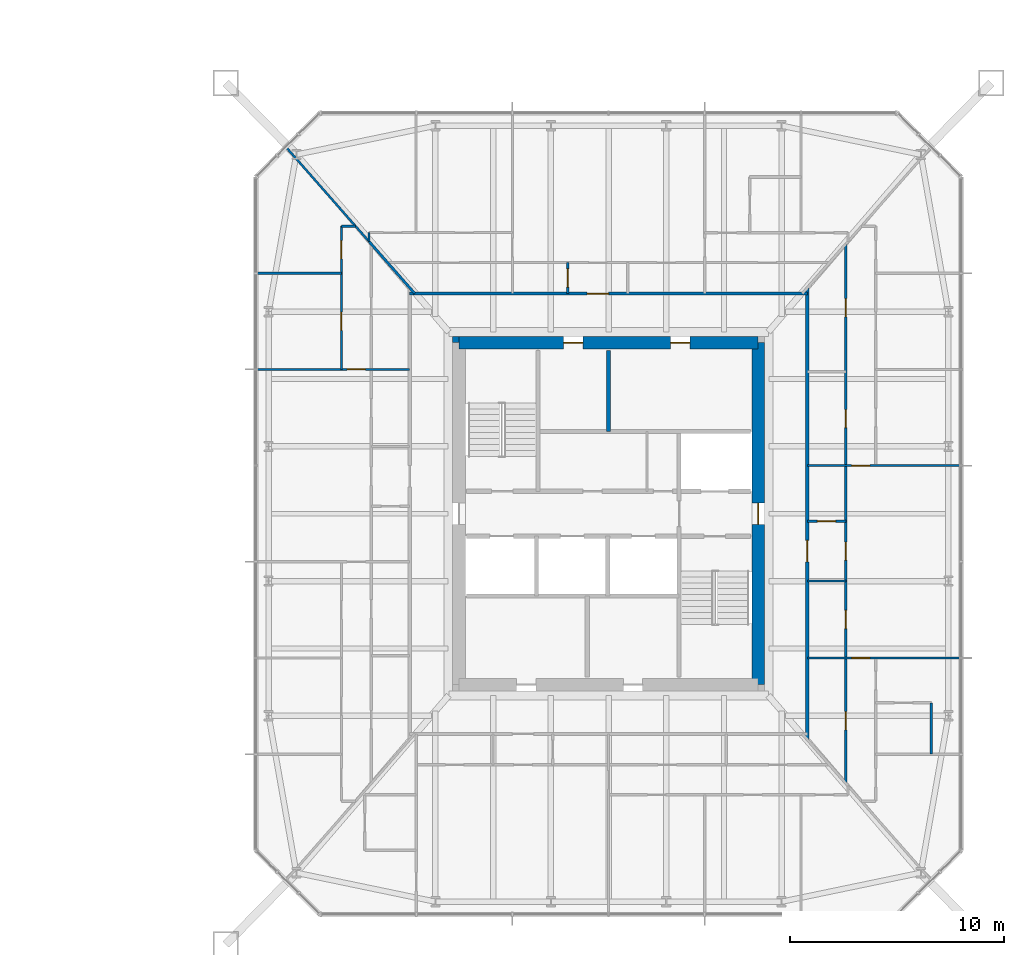
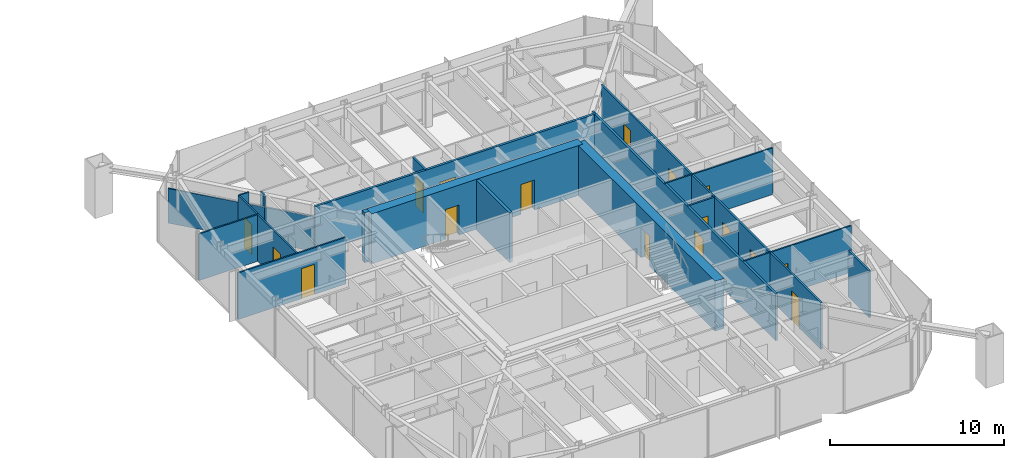
# One storey, part 20 of 26: 20 walls, 17 doors, 17 openings.
"""IFC4 building model written with IfcOpenShell, lengths in metres."""

import ifcopenshell
import ifcopenshell.guid

model = None  # the IFC model being written
_history = None  # IfcOwnerHistory: only IFC2X3 demands one
_inside = {}  # id of a spatial element -> (the spatial element, [elements in it])
_under = {}  # id of a project, library or spatial element -> (it, [spatial elements below it])
_declared = {}  # id of a project -> (the project, [libraries it declares])
_typed = {}  # id of a type object -> (the type object, [elements of that type])
_made_of = {}  # id of a material, layer set ... -> (it, [elements and type objects made of it])


def new_model(schema):
    """Start an empty IFC model of exactly this schema.

    Asked for "IFC4X3", IfcOpenShell would pick the latest addendum, in which some entities
    have other attributes; the version numbers below select the first issue.
    IFC2X3 requires an IfcOwnerHistory on every rooted entity: one is made here for all.
    """
    global model, _history
    if schema == "IFC4X3":
        model = ifcopenshell.file(schema_version=(4, 3, 0, 0))
    else:
        model = ifcopenshell.file(schema=schema)
    _inside.clear()
    _under.clear()
    _declared.clear()
    _typed.clear()
    _made_of.clear()
    _history = None
    if model.schema == "IFC2X3":
        org = make("IfcOrganization", Name="unknown")
        user = make(
            "IfcPersonAndOrganization",
            ThePerson=make("IfcPerson", FamilyName="unknown"),
            TheOrganization=org,
        )
        app = make(
            "IfcApplication",
            ApplicationDeveloper=org,
            Version="unknown",
            ApplicationFullName="unknown",
            ApplicationIdentifier="unknown",
        )
        _history = make(
            "IfcOwnerHistory",
            OwningUser=user,
            OwningApplication=app,
            ChangeAction="ADDED",
            CreationDate=0,
        )
    return model


def make(cls, **values):
    """One entity of the class cls with the attributes given. An attribute that is None is left unset."""
    return model.create_entity(
        cls, **{name: value for name, value in values.items() if value is not None}
    )


def rooted(cls, **values):
    """An entity with a GlobalId (a new one), such as an element, a storey or a relation."""
    return make(cls, GlobalId=ifcopenshell.guid.new(), OwnerHistory=_history, **values)


def si_unit(unit_type, name, prefix=None):
    """IfcSIUnit, for example si_unit("LENGTHUNIT", "METRE", prefix="MILLI")."""
    return make("IfcSIUnit", UnitType=unit_type, Prefix=prefix, Name=name)


def assignment(units):
    """IfcUnitAssignment: the units of a project."""
    return None if units is None else make("IfcUnitAssignment", Units=units)


def point(xyz):
    """IfcCartesianPoint."""
    return None if xyz is None else make("IfcCartesianPoint", Coordinates=xyz)


def direction(xyz):
    """IfcDirection."""
    return None if xyz is None else make("IfcDirection", DirectionRatios=xyz)


def frame(location, z_axis=None, x_axis=None):
    """IfcAxis2Placement3D, a coordinate frame: its origin and axes. An axis left out is left unset."""
    return make(
        "IfcAxis2Placement3D",
        Location=point(location),
        Axis=direction(z_axis),
        RefDirection=direction(x_axis),
    )


def frame_2d(location, x_axis=None):
    """IfcAxis2Placement2D, a coordinate frame in the plane: its origin and x axis."""
    return make(
        "IfcAxis2Placement2D", Location=point(location), RefDirection=direction(x_axis)
    )


def origin():
    """The frame at (0, 0, 0) with its axes left unset."""
    return frame((0.0, 0.0, 0.0))


def place(relative_to, where):
    """IfcLocalPlacement: puts the frame where relative to a parent placement (None: the world)."""
    return make(
        "IfcLocalPlacement", PlacementRelTo=relative_to, RelativePlacement=where
    )


def context(
    kind, dimensions, precision=None, world=None, true_north=None, identifier=None
):
    """IfcGeometricRepresentationContext, for example the 3D "Model" context."""
    return make(
        "IfcGeometricRepresentationContext",
        ContextIdentifier=identifier,
        ContextType=kind,
        CoordinateSpaceDimension=dimensions,
        Precision=precision,
        WorldCoordinateSystem=world,
        TrueNorth=true_north,
    )


def subcontext(parent, identifier, kind, view, scale=None):
    """IfcGeometricRepresentationSubContext, for example "Body" below "Model"."""
    return make(
        "IfcGeometricRepresentationSubContext",
        ContextIdentifier=identifier,
        ContextType=kind,
        ParentContext=parent,
        TargetScale=scale,
        TargetView=view,
    )


def project(units=None, contexts=None):
    """IfcProject with its units and contexts."""
    return rooted(
        "IfcProject",
        Name="project",
        RepresentationContexts=contexts,
        UnitsInContext=assignment(units),
    )


def spatial(cls, under=None, at=None, **own):
    """A site, building, storey or space (cls), placed at a placement, below another one or the project."""
    s = rooted(cls, ObjectPlacement=at, **own)
    if under is not None:
        _under.setdefault(under.id(), (under, []))[1].append(s)
    return s


def profile(cls, at=None, kind="AREA", **sizes):
    """A parametric profile (cls). Its sizes go by their IFC names, for example OverallWidth=200.0."""
    return make(cls, ProfileType=kind, Position=at, **sizes)


def rectangle(**sizes):
    """IfcRectangleProfileDef."""
    return profile("IfcRectangleProfileDef", **sizes)


def extrude(swept, where, along, depth):
    """IfcExtrudedAreaSolid: the profile swept, set in the frame where, extruded along a direction by depth."""
    return make(
        "IfcExtrudedAreaSolid",
        SweptArea=swept,
        Position=where,
        ExtrudedDirection=direction(along),
        Depth=depth,
    )


def shape(context_of_items, identifier, shape_type, items):
    """IfcShapeRepresentation: the items that make up one representation, for example the "Body"."""
    return make(
        "IfcShapeRepresentation",
        ContextOfItems=context_of_items,
        RepresentationIdentifier=identifier,
        RepresentationType=shape_type,
        Items=items,
    )


def material(Name=None, Category=None):
    """IfcMaterial."""
    return make("IfcMaterial", Name=Name, Category=Category)


def layer(
    of_material, thickness, ventilated=None, Name=None, Category=None, Priority=None
):
    """IfcMaterialLayer: one layer of a wall or slab, of a material (None: an air gap)."""
    return make(
        "IfcMaterialLayer",
        Material=of_material,
        LayerThickness=thickness,
        IsVentilated=ventilated,
        Name=Name,
        Category=Category,
        Priority=Priority,
    )


def layer_set(layers, Name=None):
    """IfcMaterialLayerSet."""
    return make("IfcMaterialLayerSet", MaterialLayers=layers, LayerSetName=Name)


def made_of(thing, what):
    """Note that an element or type object is made of a material, layer set ...; save() writes the relation."""
    if what is not None:
        _made_of.setdefault(what.id(), (what, []))[1].append(thing)
    return thing


def type_object(cls, material=None, **own):
    """A type object (cls), such as IfcWallType, which elements share."""
    return made_of(rooted(cls, **own), material)


def element(
    cls,
    number,
    at=None,
    inside=None,
    cuts=None,
    type_object=None,
    material=None,
    context=None,
    identifier="Body",
    shape_type=None,
    held_by="IfcProductDefinitionShape",
    body=None,
    shapes=None,
    **own,
):
    """One element of the class cls, such as IfcWall. Its Tag is "e" and its number.

    at: its placement. inside: the storey or other place that contains it. cuts: it is an
    opening in that element (IfcRelVoidsElement). A single representation is given by context,
    identifier, shape_type and body (its items); several are given by shapes. held_by: the class
    of the entity that holds the representations. save() writes the other relations.
    """
    e = rooted(cls, Tag="e%d" % number, ObjectPlacement=at, **own)
    if body is not None:
        shapes = [shape(context, identifier, shape_type, body)]
    if shapes is not None:
        e.Representation = make(held_by, Representations=shapes)
    if inside is not None:
        _inside.setdefault(inside.id(), (inside, []))[1].append(e)
    if cuts is not None:
        rooted(
            "IfcRelVoidsElement", RelatingBuildingElement=cuts, RelatedOpeningElement=e
        )
    if type_object is not None:
        _typed.setdefault(type_object.id(), (type_object, []))[1].append(e)
    return made_of(e, material)


def fill(opening, filler):
    """IfcRelFillsElement: the door or window that sits in an opening."""
    return rooted(
        "IfcRelFillsElement",
        RelatingOpeningElement=opening,
        RelatedBuildingElement=filler,
    )


def aggregate(whole, parts):
    """IfcRelAggregates: a whole, such as a stair, and the parts it consists of."""
    return rooted("IfcRelAggregates", RelatingObject=whole, RelatedObjects=parts)


def save(model, path):
    """Write the relations noted so far, then the file.

    IfcRelAggregates (storeys below a building ...), IfcRelContainedInSpatialStructure (elements
    in a storey), IfcRelDefinesByType, IfcRelAssociatesMaterial and IfcRelDeclares: one each for
    every whole, place, type object, material and project.
    """
    for whole, parts in _under.values():
        aggregate(whole, parts)
    for where, things in _inside.values():
        rooted(
            "IfcRelContainedInSpatialStructure",
            RelatedElements=things,
            RelatingStructure=where,
        )
    for kind, things in _typed.values():
        rooted("IfcRelDefinesByType", RelatedObjects=things, RelatingType=kind)
    for what, things in _made_of.values():
        rooted("IfcRelAssociatesMaterial", RelatedObjects=things, RelatingMaterial=what)
    for by, libraries in _declared.values():
        rooted("IfcRelDeclares", RelatingContext=by, RelatedDefinitions=libraries)
    model.write(path)


model = new_model("IFC4")

# Units and contexts
model_context = context("Model", 3, precision=1e-05, world=origin(), true_north=direction((0.0, 1.0)))
body_context = subcontext(model_context, "Body", "Model", "MODEL_VIEW")
ifc_project = project(units=[si_unit("LENGTHUNIT", "METRE"), si_unit("AREAUNIT", "SQUARE_METRE"), si_unit("VOLUMEUNIT", "CUBIC_METRE"), si_unit("PLANEANGLEUNIT", "RADIAN"), si_unit("MASSUNIT", "GRAM", prefix="KILO")], contexts=[model_context])

# Site, building, storey
site_placement = place(None, origin())
site = spatial("IfcSite", under=ifc_project, at=site_placement, CompositionType="ELEMENT")
building_placement = place(site_placement, origin())
building = spatial("IfcBuilding", under=site, at=building_placement, Name="Iwan Alto Co-Living Towers", CompositionType="ELEMENT")
storey_placement = place(building_placement, frame((0.0, 0.0, 29.0)))
storey = spatial("IfcBuildingStorey", under=building, at=storey_placement, Name="L07", CompositionType="ELEMENT", Elevation=29.0)

# Wall, opening, door
ifc_material_1 = material(Name="Gypsum board")
ifc_layer_1 = layer(ifc_material_1, 0.02490234375, Name="Board", Category="Finish")
ifc_material_2 = material(Name="Steel ASTM A1003 ST33H cold-formed studs", Category="steel")
ifc_layer_2 = layer(ifc_material_2, 0.10009765625, Name="Studs", Category="Framing")
ifc_layer_3 = layer(ifc_material_1, 0.02490234375, Name="Board", Category="Finish")
ifc_layer_set_1 = layer_set([ifc_layer_1, ifc_layer_2, ifc_layer_3], Name="CORRIDOR WALL 150")
wall_type_1 = type_object("IfcWallType", Name="CORRIDOR WALL 150", PredefinedType="PARTITIONING", material=ifc_layer_set_1)
wall_1_placement = place(storey_placement, frame((53.699951171875, 10.300048828125, 0.0), z_axis=(0.0, 0.0, 1.0), x_axis=(1.0, 0.0, 0.0)))
wall_1 = element("IfcWall", 1, at=wall_1_placement, inside=storey, type_object=wall_type_1, Name="Partition L07", PredefinedType="PARTITIONING", context=body_context, shape_type="SweptSolid", body=[
    extrude(rectangle(XDim=18.60009765625, YDim=0.14990234375, at=frame_2d((9.300048828125, 0.0))), origin(), (0.0, 0.0, 1.0), 3.27001953125),
])
opening_1_placement = place(wall_1_placement, frame((8.300048828125, 0.0, 0.0)))
opening_1 = element("IfcOpeningElement", 2, at=opening_1_placement, cuts=wall_1, Name="Opening D3", PredefinedType="OPENING", context=body_context, shape_type="SweptSolid", body=[
    extrude(rectangle(XDim=1.0, YDim=2.10009765625, at=frame_2d((0.5, 1.050048828125))), frame((0.0, 0.0849609375, 0.0), z_axis=(0.0, -1.0, 0.0), x_axis=(1.0, 0.0, 0.0)), (0.0, 0.0, 1.0), 0.169921875),
])
ifc_material_3 = material(Name="Steel frame with timber leaf", Category="steel")
door_type_1 = type_object("IfcDoorType", Name="FLAT ENTRANCE DOOR FD30S 1000X2100", OperationType="SINGLE_SWING_LEFT", PredefinedType="DOOR", material=ifc_material_3)
door_1_placement = place(opening_1_placement, origin())
door_1 = element("IfcDoor", 3, at=door_1_placement, inside=storey, type_object=door_type_1, Name="Apartment foyer door L07", OperationType="SINGLE_SWING_LEFT", OverallHeight=2.10009765625, OverallWidth=1.0, PredefinedType="DOOR", context=body_context, shape_type="SweptSolid", body=[
    extrude(rectangle(XDim=1.0, YDim=2.10009765625, at=frame_2d((0.5, 1.050048828125))), frame((0.0, 0.02490234375, 0.0), z_axis=(0.0, -1.0, 0.0), x_axis=(1.0, 0.0, 0.0)), (0.0, 0.0, 1.0), 0.050048828125),
])
fill(opening_1, door_1)

wall_2_placement = place(storey_placement, frame((72.300048828125, -10.568115234375, 0.0), z_axis=(0.0, 0.0, 1.0), x_axis=(0.0, 1.0, 0.0)))
wall_2 = element("IfcWall", 4, at=wall_2_placement, inside=storey, type_object=wall_type_1, Name="Partition L07", PredefinedType="PARTITIONING", context=body_context, shape_type="SweptSolid", body=[
    extrude(rectangle(XDim=21.13623046875, YDim=0.14990234375, at=frame_2d((10.568115234375, 0.0))), origin(), (0.0, 0.0, 1.0), 3.27001953125),
])
opening_2_placement = place(wall_2_placement, frame((8.318115234375, 0.0, 0.0)))
opening_2 = element("IfcOpeningElement", 5, at=opening_2_placement, cuts=wall_2, Name="Opening D3", PredefinedType="OPENING", context=body_context, shape_type="SweptSolid", body=[
    extrude(rectangle(XDim=1.0, YDim=2.10009765625, at=frame_2d((0.5, 1.050048828125))), frame((0.0, 0.0849609375, 0.0), z_axis=(0.0, -1.0, 0.0), x_axis=(1.0, 0.0, 0.0)), (0.0, 0.0, 1.0), 0.169921875),
])
door_2_placement = place(opening_2_placement, frame((1.0, 0.0, 0.0), z_axis=(0.0, 0.0, 1.0), x_axis=(-1.0, 0.0, 0.0)))
door_2 = element("IfcDoor", 6, at=door_2_placement, inside=storey, type_object=door_type_1, Name="Apartment foyer door L07", OperationType="SINGLE_SWING_RIGHT", OverallHeight=2.10009765625, OverallWidth=1.0, PredefinedType="DOOR", context=body_context, shape_type="SweptSolid", body=[
    extrude(rectangle(XDim=1.0, YDim=2.10009765625, at=frame_2d((0.5, 1.050048828125))), frame((0.0, 0.02490234375, 0.0), z_axis=(0.0, -1.0, 0.0), x_axis=(1.0, 0.0, 0.0)), (0.0, 0.0, 1.0), 0.050048828125),
])
fill(opening_2, door_2)

ifc_layer_4 = layer(ifc_material_1, 0.012451171875, Name="Board", Category="Finish")
ifc_layer_5 = layer(ifc_material_2, 0.074951171875, Name="Studs", Category="Framing")
ifc_layer_6 = layer(ifc_material_1, 0.012451171875, Name="Board", Category="Finish")
ifc_layer_set_2 = layer_set([ifc_layer_4, ifc_layer_5, ifc_layer_6], Name="PARTITION 100")
wall_type_2 = type_object("IfcWallType", Name="PARTITION 100", PredefinedType="PARTITIONING", material=ifc_layer_set_2)
wall_3_placement = place(storey_placement, frame((72.300048828125, -6.75, 0.0), z_axis=(0.0, 0.0, 1.0), x_axis=(1.0, 0.0, 0.0)))
wall_3 = element("IfcWall", 7, at=wall_3_placement, inside=storey, type_object=wall_type_2, Name="Partition L07", PredefinedType="PARTITIONING", context=body_context, shape_type="SweptSolid", body=[
    extrude(rectangle(XDim=7.139892578125, YDim=0.10009765625, at=frame_2d((3.56982421875, 0.0))), origin(), (0.0, 0.0, 1.0), 3.27001953125),
])
opening_3_placement = place(wall_3_placement, frame((2.074951171875, 0.0, 0.0)))
opening_3 = element("IfcOpeningElement", 8, at=opening_3_placement, cuts=wall_3, Name="Opening D2", PredefinedType="OPENING", context=body_context, shape_type="SweptSolid", body=[
    extrude(rectangle(XDim=0.85009765625, YDim=2.10009765625, at=frame_2d((0.425048828125, 1.050048828125))), frame((0.0, 0.06005859375, 0.0), z_axis=(0.0, -1.0, 0.0), x_axis=(1.0, 0.0, 0.0)), (0.0, 0.0, 1.0), 0.1201171875),
])
ifc_material_4 = material(Name="Timber leaf in steel frame", Category="steel")
door_type_2 = type_object("IfcDoorType", Name="ROOM DOOR 850X2100", OperationType="SINGLE_SWING_LEFT", PredefinedType="DOOR", material=ifc_material_4)
door_3_placement = place(opening_3_placement, origin())
door_3 = element("IfcDoor", 9, at=door_3_placement, inside=storey, type_object=door_type_2, Name="Apartment hall door L07", OperationType="SINGLE_SWING_LEFT", OverallHeight=2.10009765625, OverallWidth=0.85009765625, PredefinedType="DOOR", context=body_context, shape_type="SweptSolid", body=[
    extrude(rectangle(XDim=0.85009765625, YDim=2.10009765625, at=frame_2d((0.425048828125, 1.050048828125))), frame((0.0, 0.02490234375, 0.0), z_axis=(0.0, -1.0, 0.0), x_axis=(1.0, 0.0, 0.0)), (0.0, 0.0, 1.0), 0.050048828125),
])
fill(opening_3, door_3)

# Wall
wall_4_placement = place(storey_placement, frame((72.300048828125, -3.14990234375, 0.0), z_axis=(0.0, 0.0, 1.0), x_axis=(1.0, 0.0, 0.0)))
element("IfcWall", 10, at=wall_4_placement, inside=storey, type_object=wall_type_2, Name="Partition L07", PredefinedType="PARTITIONING", context=body_context, shape_type="SweptSolid", body=[
    extrude(rectangle(XDim=1.800048828125, YDim=0.10009765625, at=frame_2d((0.89990234375, 0.0))), origin(), (0.0, 0.0, 1.0), 2.586669921875),
])

# Wall, opening, door
wall_5_placement = place(storey_placement, frame((72.300048828125, 2.25, 0.0), z_axis=(0.0, 0.0, 1.0), x_axis=(1.0, 0.0, 0.0)))
wall_5 = element("IfcWall", 11, at=wall_5_placement, inside=storey, type_object=wall_type_2, Name="Partition L07", PredefinedType="PARTITIONING", context=body_context, shape_type="SweptSolid", body=[
    extrude(rectangle(XDim=7.139892578125, YDim=0.10009765625, at=frame_2d((3.56982421875, 0.0))), origin(), (0.0, 0.0, 1.0), 3.27001953125),
])
opening_4_placement = place(wall_5_placement, frame((2.074951171875, 0.0, 0.0)))
opening_4 = element("IfcOpeningElement", 12, at=opening_4_placement, cuts=wall_5, Name="Opening D2", PredefinedType="OPENING", context=body_context, shape_type="SweptSolid", body=[
    extrude(rectangle(XDim=0.85009765625, YDim=2.10009765625, at=frame_2d((0.425048828125, 1.050048828125))), frame((0.0, 0.06005859375, 0.0), z_axis=(0.0, -1.0, 0.0), x_axis=(1.0, 0.0, 0.0)), (0.0, 0.0, 1.0), 0.1201171875),
])
door_4_placement = place(opening_4_placement, frame((0.85009765625, 0.0, 0.0), z_axis=(0.0, 0.0, 1.0), x_axis=(-1.0, 0.0, 0.0)))
door_4 = element("IfcDoor", 13, at=door_4_placement, inside=storey, type_object=door_type_2, Name="Apartment hall door L07", OperationType="SINGLE_SWING_RIGHT", OverallHeight=2.10009765625, OverallWidth=0.85009765625, PredefinedType="DOOR", context=body_context, shape_type="SweptSolid", body=[
    extrude(rectangle(XDim=0.85009765625, YDim=2.10009765625, at=frame_2d((0.425048828125, 1.050048828125))), frame((0.0, 0.02490234375, 0.0), z_axis=(0.0, -1.0, 0.0), x_axis=(1.0, 0.0, 0.0)), (0.0, 0.0, 1.0), 0.050048828125),
])
fill(opening_4, door_4)

wall_6_placement = place(storey_placement, frame((46.56005859375, 6.75, 0.0), z_axis=(0.0, 0.0, 1.0), x_axis=(1.0, 0.0, 0.0)))
wall_6 = element("IfcWall", 14, at=wall_6_placement, inside=storey, type_object=wall_type_2, Name="Partition L07", PredefinedType="PARTITIONING", context=body_context, shape_type="SweptSolid", body=[
    extrude(rectangle(XDim=7.139892578125, YDim=0.10009765625, at=frame_2d((3.56982421875, 0.0))), origin(), (0.0, 0.0, 1.0), 3.27001953125),
])
opening_5_placement = place(wall_6_placement, frame((4.215087890625, 0.0, 0.0)))
opening_5 = element("IfcOpeningElement", 15, at=opening_5_placement, cuts=wall_6, Name="Opening D2", PredefinedType="OPENING", context=body_context, shape_type="SweptSolid", body=[
    extrude(rectangle(XDim=0.85009765625, YDim=2.10009765625, at=frame_2d((0.425048828125, 1.050048828125))), frame((0.0, 0.06005859375, 0.0), z_axis=(0.0, -1.0, 0.0), x_axis=(1.0, 0.0, 0.0)), (0.0, 0.0, 1.0), 0.1201171875),
])
door_5_placement = place(opening_5_placement, frame((0.85009765625, 0.0, 0.0), z_axis=(0.0, 0.0, 1.0), x_axis=(-1.0, 0.0, 0.0)))
door_5 = element("IfcDoor", 16, at=door_5_placement, inside=storey, type_object=door_type_2, Name="Apartment hall door L07", OperationType="SINGLE_SWING_LEFT", OverallHeight=2.10009765625, OverallWidth=0.85009765625, PredefinedType="DOOR", context=body_context, shape_type="SweptSolid", body=[
    extrude(rectangle(XDim=0.85009765625, YDim=2.10009765625, at=frame_2d((0.425048828125, 1.050048828125))), frame((0.0, 0.02490234375, 0.0), z_axis=(0.0, -1.0, 0.0), x_axis=(1.0, 0.0, 0.0)), (0.0, 0.0, 1.0), 0.050048828125),
])
fill(opening_5, door_5)

# Walls
wall_7_placement = place(storey_placement, frame((46.56005859375, 11.25, 0.0), z_axis=(0.0, 0.0, 1.0), x_axis=(1.0, 0.0, 0.0)))
element("IfcWall", 17, at=wall_7_placement, inside=storey, type_object=wall_type_2, Name="Partition L07", PredefinedType="PARTITIONING", context=body_context, shape_type="SweptSolid", body=[
    extrude(rectangle(XDim=3.93994140625, YDim=0.10009765625, at=frame_2d((1.969970703125, 0.0))), origin(), (0.0, 0.0, 1.0), 3.27001953125),
])
wall_8_placement = place(storey_placement, frame((50.5, 13.449951171875, 0.0), z_axis=(0.0, 0.0, 1.0), x_axis=(1.0, 0.0, 0.0)))
element("IfcWall", 18, at=wall_8_placement, inside=storey, type_object=wall_type_2, Name="Partition L07", PredefinedType="PARTITIONING", context=body_context, shape_type="SweptSolid", body=[
    extrude(rectangle(XDim=0.6640625, YDim=0.10009765625, at=frame_2d((0.33203125, 0.0))), origin(), (0.0, 0.0, 1.0), 3.27001953125),
])
wall_9_placement = place(storey_placement, frame((51.800048828125, 12.72705078125, 0.0), z_axis=(0.0, 0.0, 1.0), x_axis=(0.0, 1.0, 0.0)))
element("IfcWall", 19, at=wall_9_placement, inside=storey, type_object=wall_type_2, Name="Partition L07", PredefinedType="PARTITIONING", context=body_context, shape_type="SweptSolid", body=[
    extrude(rectangle(XDim=0.4228515625, YDim=0.10009765625, at=frame_2d((0.21142578125, 0.0))), origin(), (0.0, 0.0, 1.0), 3.27001953125),
])

# Wall, openings, doors
wall_10_placement = place(storey_placement, frame((50.5, 6.75, 0.0), z_axis=(0.0, 0.0, 1.0), x_axis=(0.0, 1.0, 0.0)))
wall_10 = element("IfcWall", 20, at=wall_10_placement, inside=storey, type_object=wall_type_2, Name="Partition L07", PredefinedType="PARTITIONING", context=body_context, shape_type="SweptSolid", body=[
    extrude(rectangle(XDim=6.699951171875, YDim=0.10009765625, at=frame_2d((3.35009765625, 0.0))), origin(), (0.0, 0.0, 1.0), 3.27001953125),
])
opening_6_placement = place(wall_10_placement, frame((1.824951171875, 0.0, 0.0)))
opening_6 = element("IfcOpeningElement", 21, at=opening_6_placement, cuts=wall_10, Name="Opening D2", PredefinedType="OPENING", context=body_context, shape_type="SweptSolid", body=[
    extrude(rectangle(XDim=0.85009765625, YDim=2.10009765625, at=frame_2d((0.425048828125, 1.050048828125))), frame((0.0, 0.06005859375, 0.0), z_axis=(0.0, -1.0, 0.0), x_axis=(1.0, 0.0, 0.0)), (0.0, 0.0, 1.0), 0.1201171875),
])
opening_7_placement = place(wall_10_placement, frame((5.175048828125, 0.0, 0.0)))
opening_7 = element("IfcOpeningElement", 22, at=opening_7_placement, cuts=wall_10, Name="Opening D2", PredefinedType="OPENING", context=body_context, shape_type="SweptSolid", body=[
    extrude(rectangle(XDim=0.85009765625, YDim=2.10009765625, at=frame_2d((0.425048828125, 1.050048828125))), frame((0.0, 0.06005859375, 0.0), z_axis=(0.0, -1.0, 0.0), x_axis=(1.0, 0.0, 0.0)), (0.0, 0.0, 1.0), 0.1201171875),
])
door_6_placement = place(opening_6_placement, origin())
door_6 = element("IfcDoor", 23, at=door_6_placement, inside=storey, type_object=door_type_2, Name="Study door L07", OperationType="SINGLE_SWING_LEFT", OverallHeight=2.10009765625, OverallWidth=0.85009765625, PredefinedType="DOOR", context=body_context, shape_type="SweptSolid", body=[
    extrude(rectangle(XDim=0.85009765625, YDim=2.10009765625, at=frame_2d((0.425048828125, 1.050048828125))), frame((0.0, 0.02490234375, 0.0), z_axis=(0.0, -1.0, 0.0), x_axis=(1.0, 0.0, 0.0)), (0.0, 0.0, 1.0), 0.050048828125),
])
fill(opening_6, door_6)
door_7_placement = place(opening_7_placement, origin())
door_7 = element("IfcDoor", 24, at=door_7_placement, inside=storey, type_object=door_type_2, Name="Bedroom door L07", OperationType="SINGLE_SWING_LEFT", OverallHeight=2.10009765625, OverallWidth=0.85009765625, PredefinedType="DOOR", context=body_context, shape_type="SweptSolid", body=[
    extrude(rectangle(XDim=0.85009765625, YDim=2.10009765625, at=frame_2d((0.425048828125, 1.050048828125))), frame((0.0, 0.02490234375, 0.0), z_axis=(0.0, -1.0, 0.0), x_axis=(1.0, 0.0, 0.0)), (0.0, 0.0, 1.0), 0.050048828125),
])
fill(opening_7, door_7)

# Walls
wall_11_placement = place(storey_placement, frame((51.801025390625, 12.72802734375, 0.0), z_axis=(0.0, 0.0, 1.0), x_axis=(-0.660356300202, 0.750952433103, 0.0)))
element("IfcWall", 25, at=wall_11_placement, inside=storey, type_object=wall_type_2, Name="Partition L07", PredefinedType="PARTITIONING", context=body_context, shape_type="SweptSolid", body=[
    extrude(rectangle(XDim=5.8369140625, YDim=0.10009765625, at=frame_2d((2.91845703125, 0.0))), origin(), (0.0, 0.0, 1.0), 2.42919921875),
])
ifc_material_5 = material(Name="Concrete f'c 70 MPa", Category="concrete")
ifc_layer_7 = layer(ifc_material_5, 0.199951171875)
ifc_layer_set_3 = layer_set([ifc_layer_7], Name="SHAFT WALL 200")
wall_type_3 = type_object("IfcWallType", Name="SHAFT WALL 200", PredefinedType="SOLIDWALL", material=ifc_layer_set_3)
wall_12_placement = place(storey_placement, frame((63.0, 3.85009765625, 0.0), z_axis=(0.0, 0.0, 1.0), x_axis=(0.0, 1.0, 0.0)))
element("IfcWall", 26, at=wall_12_placement, inside=storey, type_object=wall_type_3, Name="Shaft wall L07", PredefinedType="SOLIDWALL", context=body_context, shape_type="SweptSolid", body=[
    extrude(rectangle(XDim=3.789794921875, YDim=0.199951171875, at=frame_2d((1.89501953125, 0.0))), origin(), (0.0, 0.0, 1.0), 3.5),
])
ifc_material_6 = material(Name="Concrete f'c 70 MPa", Category="concrete")
ifc_layer_8 = layer(ifc_material_6, 0.300048828125)
ifc_layer_set_4 = layer_set([ifc_layer_8], Name="T2 CORE CORNER FILL 300")
wall_type_4 = type_object("IfcWallType", Name="T2 CORE CORNER FILL 300", PredefinedType="SOLIDWALL", material=ifc_layer_set_4)
wall_13_placement = place(storey_placement, frame((55.699951171875, 8.14990234375, 0.0), z_axis=(0.0, 0.0, 1.0), x_axis=(1.0, 0.0, 0.0)))
element("IfcWall", 27, at=wall_13_placement, inside=storey, type_object=wall_type_4, Name="T2 core corner NW L07", PredefinedType="SOLIDWALL", context=body_context, shape_type="SweptSolid", body=[
    extrude(rectangle(XDim=0.300048828125, YDim=0.300048828125, at=frame_2d((0.14990234375, 0.0))), origin(), (0.0, 0.0, 1.0), 3.5),
])

# Wall, openings, doors
ifc_material_7 = material(Name="Concrete f'c 70 MPa", Category="concrete")
ifc_layer_9 = layer(ifc_material_7, 0.60009765625)
ifc_layer_set_5 = layer_set([ifc_layer_9], Name="T2 CORE WALL 600")
wall_type_5 = type_object("IfcWallType", Name="T2 CORE WALL 600", PredefinedType="SHEAR", material=ifc_layer_set_5)
wall_14_placement = place(storey_placement, frame((70.0, 8.0, 0.0), z_axis=(0.0, 0.0, 1.0), x_axis=(-1.0, 0.0, 0.0)))
wall_14 = element("IfcWall", 28, at=wall_14_placement, inside=storey, type_object=wall_type_5, Name="T2 core wall N L07", PredefinedType="SHEAR", context=body_context, shape_type="SweptSolid", body=[
    extrude(rectangle(XDim=14.0, YDim=0.60009765625, at=frame_2d((7.0, 0.0))), origin(), (0.0, 0.0, 1.0), 3.5),
])
opening_8_placement = place(wall_14_placement, frame((8.199951171875, 0.0, 0.0)))
opening_8 = element("IfcOpeningElement", 29, at=opening_8_placement, cuts=wall_14, Name="Opening D8", PredefinedType="OPENING", context=body_context, shape_type="SweptSolid", body=[
    extrude(rectangle(XDim=0.89990234375, YDim=2.10009765625, at=frame_2d((0.449951171875, 1.050048828125))), frame((0.0, 0.31005859375, 0.0), z_axis=(0.0, -1.0, 0.0), x_axis=(1.0, 0.0, 0.0)), (0.0, 0.0, 1.0), 0.6201171875),
])
opening_9_placement = place(wall_14_placement, frame((3.199951171875, 0.0, 0.0)))
opening_9 = element("IfcOpeningElement", 30, at=opening_9_placement, cuts=wall_14, Name="Opening D8", PredefinedType="OPENING", context=body_context, shape_type="SweptSolid", body=[
    extrude(rectangle(XDim=0.89990234375, YDim=2.10009765625, at=frame_2d((0.449951171875, 1.050048828125))), frame((0.0, 0.31005859375, 0.0), z_axis=(0.0, -1.0, 0.0), x_axis=(1.0, 0.0, 0.0)), (0.0, 0.0, 1.0), 0.6201171875),
])
ifc_material_8 = material(Name="Steel frame with timber leaf", Category="steel")
door_type_3 = type_object("IfcDoorType", Name="RISER DOOR FD120 900X2100", OperationType="SINGLE_SWING_LEFT", PredefinedType="DOOR", material=ifc_material_8)
door_8_placement = place(opening_8_placement, origin())
door_8 = element("IfcDoor", 31, at=door_8_placement, inside=storey, type_object=door_type_3, Name="Electrical riser core door L07", OperationType="SINGLE_SWING_RIGHT", OverallHeight=2.10009765625, OverallWidth=0.89990234375, PredefinedType="DOOR", context=body_context, shape_type="SweptSolid", body=[
    extrude(rectangle(XDim=0.89990234375, YDim=2.10009765625, at=frame_2d((0.449951171875, 1.050048828125))), frame((0.0, 0.02490234375, 0.0), z_axis=(0.0, -1.0, 0.0), x_axis=(1.0, 0.0, 0.0)), (0.0, 0.0, 1.0), 0.050048828125),
])
fill(opening_8, door_8)
door_9_placement = place(opening_9_placement, origin())
door_9 = element("IfcDoor", 32, at=door_9_placement, inside=storey, type_object=door_type_3, Name="Water and drainage riser core door L07", OperationType="SINGLE_SWING_RIGHT", OverallHeight=2.10009765625, OverallWidth=0.89990234375, PredefinedType="DOOR", context=body_context, shape_type="SweptSolid", body=[
    extrude(rectangle(XDim=0.89990234375, YDim=2.10009765625, at=frame_2d((0.449951171875, 1.050048828125))), frame((0.0, 0.02490234375, 0.0), z_axis=(0.0, -1.0, 0.0), x_axis=(1.0, 0.0, 0.0)), (0.0, 0.0, 1.0), 0.050048828125),
])
fill(opening_9, door_9)

# Wall, opening, door
wall_15_placement = place(storey_placement, frame((70.0, -8.0, 0.0), z_axis=(0.0, 0.0, 1.0), x_axis=(0.0, 1.0, 0.0)))
wall_15 = element("IfcWall", 33, at=wall_15_placement, inside=storey, type_object=wall_type_5, Name="T2 core wall E L07", PredefinedType="SHEAR", context=body_context, shape_type="SweptSolid", body=[
    extrude(rectangle(XDim=16.0, YDim=0.60009765625, at=frame_2d((8.0, 0.0))), origin(), (0.0, 0.0, 1.0), 3.5),
])
opening_10_placement = place(wall_15_placement, frame((7.5, 0.0, 0.0)))
opening_10 = element("IfcOpeningElement", 34, at=opening_10_placement, cuts=wall_15, Name="Opening D7", PredefinedType="OPENING", context=body_context, shape_type="SweptSolid", body=[
    extrude(rectangle(XDim=1.0, YDim=2.10009765625, at=frame_2d((0.5, 1.050048828125))), frame((0.0, 0.31005859375, 0.0), z_axis=(0.0, -1.0, 0.0), x_axis=(1.0, 0.0, 0.0)), (0.0, 0.0, 1.0), 0.6201171875),
])
ifc_material_9 = material(Name="Steel frame with timber leaf", Category="steel")
door_type_4 = type_object("IfcDoorType", Name="CORE DOOR FD120S 1000X2100", OperationType="SINGLE_SWING_LEFT", PredefinedType="DOOR", material=ifc_material_9)
door_10_placement = place(opening_10_placement, origin())
door_10 = element("IfcDoor", 35, at=door_10_placement, inside=storey, type_object=door_type_4, Name="Firefighting lobby core door L07", OperationType="SINGLE_SWING_LEFT", OverallHeight=2.10009765625, OverallWidth=1.0, PredefinedType="DOOR", context=body_context, shape_type="SweptSolid", body=[
    extrude(rectangle(XDim=1.0, YDim=2.10009765625, at=frame_2d((0.5, 1.050048828125))), frame((0.0, 0.02490234375, 0.0), z_axis=(0.0, -1.0, 0.0), x_axis=(1.0, 0.0, 0.0)), (0.0, 0.0, 1.0), 0.050048828125),
])
fill(opening_10, door_10)

ifc_material_10 = material(Name="Cement board")
ifc_layer_10 = layer(ifc_material_10, 0.012451171875, Name="Board", Category="Finish")
ifc_layer_11 = layer(ifc_material_2, 0.094970703125, Name="Studs", Category="Framing")
ifc_layer_12 = layer(ifc_material_10, 0.012451171875, Name="Board", Category="Finish")
ifc_layer_set_6 = layer_set([ifc_layer_10, ifc_layer_11, ifc_layer_12], Name="WET AREA PARTITION 120")
wall_type_6 = type_object("IfcWallType", Name="WET AREA PARTITION 120", PredefinedType="PARTITIONING", material=ifc_layer_set_6)
wall_16_placement = place(storey_placement, frame((72.300048828125, -0.35009765625, 0.0), z_axis=(0.0, 0.0, 1.0), x_axis=(1.0, 0.0, 0.0)))
wall_16 = element("IfcWall", 36, at=wall_16_placement, inside=storey, type_object=wall_type_6, Name="Partition L07", PredefinedType="PARTITIONING", context=body_context, shape_type="SweptSolid", body=[
    extrude(rectangle(XDim=1.800048828125, YDim=0.1201171875, at=frame_2d((0.89990234375, 0.0))), origin(), (0.0, 0.0, 1.0), 3.27001953125),
])
opening_11_placement = place(wall_16_placement, frame((0.47509765625, 0.0, 0.0)))
opening_11 = element("IfcOpeningElement", 37, at=opening_11_placement, cuts=wall_16, Name="Opening D2", PredefinedType="OPENING", context=body_context, shape_type="SweptSolid", body=[
    extrude(rectangle(XDim=0.85009765625, YDim=2.10009765625, at=frame_2d((0.425048828125, 1.050048828125))), frame((0.0, 0.070068359375, 0.0), z_axis=(0.0, -1.0, 0.0), x_axis=(1.0, 0.0, 0.0)), (0.0, 0.0, 1.0), 0.14013671875),
])
door_11_placement = place(opening_11_placement, origin())
door_11 = element("IfcDoor", 38, at=door_11_placement, inside=storey, type_object=door_type_2, Name="Bathroom door L07", OperationType="SINGLE_SWING_LEFT", OverallHeight=2.10009765625, OverallWidth=0.85009765625, PredefinedType="DOOR", context=body_context, shape_type="SweptSolid", body=[
    extrude(rectangle(XDim=0.85009765625, YDim=2.10009765625, at=frame_2d((0.425048828125, 1.050048828125))), frame((0.0, 0.02490234375, 0.0), z_axis=(0.0, -1.0, 0.0), x_axis=(1.0, 0.0, 0.0)), (0.0, 0.0, 1.0), 0.050048828125),
])
fill(opening_11, door_11)

# Wall
wall_17_placement = place(storey_placement, frame((78.10009765625, -11.25, 0.0), z_axis=(0.0, 0.0, 1.0), x_axis=(0.0, 1.0, 0.0)))
element("IfcWall", 39, at=wall_17_placement, inside=storey, type_object=wall_type_6, Name="Partition L07", PredefinedType="PARTITIONING", context=body_context, shape_type="SweptSolid", body=[
    extrude(rectangle(XDim=2.39990234375, YDim=0.1201171875, at=frame_2d((1.199951171875, 0.0))), origin(), (0.0, 0.0, 1.0), 3.27001953125),
])

# Wall, openings, doors
wall_18_placement = place(storey_placement, frame((74.10009765625, -12.614013671875, 0.0), z_axis=(0.0, 0.0, 1.0), x_axis=(0.0, 1.0, 0.0)))
wall_18 = element("IfcWall", 40, at=wall_18_placement, inside=storey, type_object=wall_type_6, Name="Partition L07", PredefinedType="PARTITIONING", context=body_context, shape_type="SweptSolid", body=[
    extrude(rectangle(XDim=25.22802734375, YDim=0.1201171875, at=frame_2d((12.614013671875, 0.0))), origin(), (0.0, 0.0, 1.0), 3.27001953125),
])
opening_12_placement = place(wall_18_placement, frame((7.239013671875, 0.0, 0.0)))
opening_12 = element("IfcOpeningElement", 41, at=opening_12_placement, cuts=wall_18, Name="Opening D2", PredefinedType="OPENING", context=body_context, shape_type="SweptSolid", body=[
    extrude(rectangle(XDim=0.85009765625, YDim=2.10009765625, at=frame_2d((0.425048828125, 1.050048828125))), frame((0.0, 0.070068359375, 0.0), z_axis=(0.0, -1.0, 0.0), x_axis=(1.0, 0.0, 0.0)), (0.0, 0.0, 1.0), 0.14013671875),
])
opening_13_placement = place(wall_18_placement, frame((10.43896484375, 0.0, 0.0)))
opening_13 = element("IfcOpeningElement", 42, at=opening_13_placement, cuts=wall_18, Name="Opening D2", PredefinedType="OPENING", context=body_context, shape_type="SweptSolid", body=[
    extrude(rectangle(XDim=0.85009765625, YDim=2.10009765625, at=frame_2d((0.425048828125, 1.050048828125))), frame((0.0, 0.070068359375, 0.0), z_axis=(0.0, -1.0, 0.0), x_axis=(1.0, 0.0, 0.0)), (0.0, 0.0, 1.0), 0.14013671875),
])
opening_14_placement = place(wall_18_placement, frame((2.507080078125, 0.0, 0.0)))
opening_14 = element("IfcOpeningElement", 43, at=opening_14_placement, cuts=wall_18, Name="Opening D2", PredefinedType="OPENING", context=body_context, shape_type="SweptSolid", body=[
    extrude(rectangle(XDim=0.85009765625, YDim=2.10009765625, at=frame_2d((0.425048828125, 1.050048828125))), frame((0.0, 0.070068359375, 0.0), z_axis=(0.0, -1.0, 0.0), x_axis=(1.0, 0.0, 0.0)), (0.0, 0.0, 1.0), 0.14013671875),
])
opening_15_placement = place(wall_18_placement, frame((16.638916015625, 0.0, 0.0)))
opening_15 = element("IfcOpeningElement", 44, at=opening_15_placement, cuts=wall_18, Name="Opening D2", PredefinedType="OPENING", context=body_context, shape_type="SweptSolid", body=[
    extrude(rectangle(XDim=0.85009765625, YDim=2.10009765625, at=frame_2d((0.425048828125, 1.050048828125))), frame((0.0, 0.070068359375, 0.0), z_axis=(0.0, -1.0, 0.0), x_axis=(1.0, 0.0, 0.0)), (0.0, 0.0, 1.0), 0.14013671875),
])
opening_16_placement = place(wall_18_placement, frame((21.821044921875, 0.0, 0.0)))
opening_16 = element("IfcOpeningElement", 45, at=opening_16_placement, cuts=wall_18, Name="Opening D2", PredefinedType="OPENING", context=body_context, shape_type="SweptSolid", body=[
    extrude(rectangle(XDim=0.85009765625, YDim=2.10009765625, at=frame_2d((0.425048828125, 1.050048828125))), frame((0.0, 0.070068359375, 0.0), z_axis=(0.0, -1.0, 0.0), x_axis=(1.0, 0.0, 0.0)), (0.0, 0.0, 1.0), 0.14013671875),
])
door_12_placement = place(opening_12_placement, frame((0.85009765625, 0.0, 0.0), z_axis=(0.0, 0.0, 1.0), x_axis=(-1.0, 0.0, 0.0)))
door_12 = element("IfcDoor", 46, at=door_12_placement, inside=storey, type_object=door_type_2, Name="Kitchen door L07", OperationType="SINGLE_SWING_RIGHT", OverallHeight=2.10009765625, OverallWidth=0.85009765625, PredefinedType="DOOR", context=body_context, shape_type="SweptSolid", body=[
    extrude(rectangle(XDim=0.85009765625, YDim=2.10009765625, at=frame_2d((0.425048828125, 1.050048828125))), frame((0.0, 0.02490234375, 0.0), z_axis=(0.0, -1.0, 0.0), x_axis=(1.0, 0.0, 0.0)), (0.0, 0.0, 1.0), 0.050048828125),
])
fill(opening_12, door_12)
door_13_placement = place(opening_13_placement, frame((0.85009765625, 0.0, 0.0), z_axis=(0.0, 0.0, 1.0), x_axis=(-1.0, 0.0, 0.0)))
door_13 = element("IfcDoor", 47, at=door_13_placement, inside=storey, type_object=door_type_2, Name="Apartment foyer door L07", OperationType="SINGLE_SWING_LEFT", OverallHeight=2.10009765625, OverallWidth=0.85009765625, PredefinedType="DOOR", context=body_context, shape_type="SweptSolid", body=[
    extrude(rectangle(XDim=0.85009765625, YDim=2.10009765625, at=frame_2d((0.425048828125, 1.050048828125))), frame((0.0, 0.02490234375, 0.0), z_axis=(0.0, -1.0, 0.0), x_axis=(1.0, 0.0, 0.0)), (0.0, 0.0, 1.0), 0.050048828125),
])
fill(opening_13, door_13)
door_14_placement = place(opening_14_placement, origin())
door_14 = element("IfcDoor", 48, at=door_14_placement, inside=storey, type_object=door_type_2, Name="Utility room door L07", OperationType="SINGLE_SWING_LEFT", OverallHeight=2.10009765625, OverallWidth=0.85009765625, PredefinedType="DOOR", context=body_context, shape_type="SweptSolid", body=[
    extrude(rectangle(XDim=0.85009765625, YDim=2.10009765625, at=frame_2d((0.425048828125, 1.050048828125))), frame((0.0, 0.02490234375, 0.0), z_axis=(0.0, -1.0, 0.0), x_axis=(1.0, 0.0, 0.0)), (0.0, 0.0, 1.0), 0.050048828125),
])
fill(opening_14, door_14)
door_15_placement = place(opening_15_placement, origin())
door_15 = element("IfcDoor", 49, at=door_15_placement, inside=storey, type_object=door_type_2, Name="Utility room door L07", OperationType="SINGLE_SWING_LEFT", OverallHeight=2.10009765625, OverallWidth=0.85009765625, PredefinedType="DOOR", context=body_context, shape_type="SweptSolid", body=[
    extrude(rectangle(XDim=0.85009765625, YDim=2.10009765625, at=frame_2d((0.425048828125, 1.050048828125))), frame((0.0, 0.02490234375, 0.0), z_axis=(0.0, -1.0, 0.0), x_axis=(1.0, 0.0, 0.0)), (0.0, 0.0, 1.0), 0.050048828125),
])
fill(opening_15, door_15)
door_16_placement = place(opening_16_placement, origin())
door_16 = element("IfcDoor", 50, at=door_16_placement, inside=storey, type_object=door_type_2, Name="Store room door L07", OperationType="SINGLE_SWING_RIGHT", OverallHeight=2.10009765625, OverallWidth=0.85009765625, PredefinedType="DOOR", context=body_context, shape_type="SweptSolid", body=[
    extrude(rectangle(XDim=0.85009765625, YDim=2.10009765625, at=frame_2d((0.425048828125, 1.050048828125))), frame((0.0, 0.02490234375, 0.0), z_axis=(0.0, -1.0, 0.0), x_axis=(1.0, 0.0, 0.0)), (0.0, 0.0, 1.0), 0.050048828125),
])
fill(opening_16, door_16)

# Wall, opening, door
wall_19_placement = place(storey_placement, frame((61.10009765625, 10.300048828125, 0.0), z_axis=(0.0, 0.0, 1.0), x_axis=(0.0, 1.0, 0.0)))
wall_19 = element("IfcWall", 51, at=wall_19_placement, inside=storey, type_object=wall_type_6, Name="Partition L07", PredefinedType="PARTITIONING", context=body_context, shape_type="SweptSolid", body=[
    extrude(rectangle(XDim=1.449951171875, YDim=0.1201171875, at=frame_2d((0.72509765625, 0.0))), origin(), (0.0, 0.0, 1.0), 3.27001953125),
])
opening_17_placement = place(wall_19_placement, frame((0.300048828125, 0.0, 0.0)))
opening_17 = element("IfcOpeningElement", 52, at=opening_17_placement, cuts=wall_19, Name="Opening D2", PredefinedType="OPENING", context=body_context, shape_type="SweptSolid", body=[
    extrude(rectangle(XDim=0.85009765625, YDim=2.10009765625, at=frame_2d((0.425048828125, 1.050048828125))), frame((0.0, 0.070068359375, 0.0), z_axis=(0.0, -1.0, 0.0), x_axis=(1.0, 0.0, 0.0)), (0.0, 0.0, 1.0), 0.14013671875),
])
door_17_placement = place(opening_17_placement, origin())
door_17 = element("IfcDoor", 53, at=door_17_placement, inside=storey, type_object=door_type_2, Name="Shower room door L07", OperationType="SINGLE_SWING_LEFT", OverallHeight=2.10009765625, OverallWidth=0.85009765625, PredefinedType="DOOR", context=body_context, shape_type="SweptSolid", body=[
    extrude(rectangle(XDim=0.85009765625, YDim=2.10009765625, at=frame_2d((0.425048828125, 1.050048828125))), frame((0.0, 0.02490234375, 0.0), z_axis=(0.0, -1.0, 0.0), x_axis=(1.0, 0.0, 0.0)), (0.0, 0.0, 1.0), 0.050048828125),
])
fill(opening_17, door_17)

# Wall
wall_20_placement = place(storey_placement, frame((53.93603515625, 10.300048828125, 0.0), z_axis=(0.0, 0.0, 1.0), x_axis=(-0.660384426006, 0.750927699508, 0.0)))
element("IfcWall", 54, at=wall_20_placement, inside=storey, type_object=wall_type_6, Name="Partition L07", PredefinedType="PARTITIONING", context=body_context, shape_type="SweptSolid", body=[
    extrude(rectangle(XDim=3.23291015625, YDim=0.1201171875, at=frame_2d((1.616455078125, 0.0))), origin(), (0.0, 0.0, 1.0), 2.42919921875),
])

save(model, "model.ifc")
